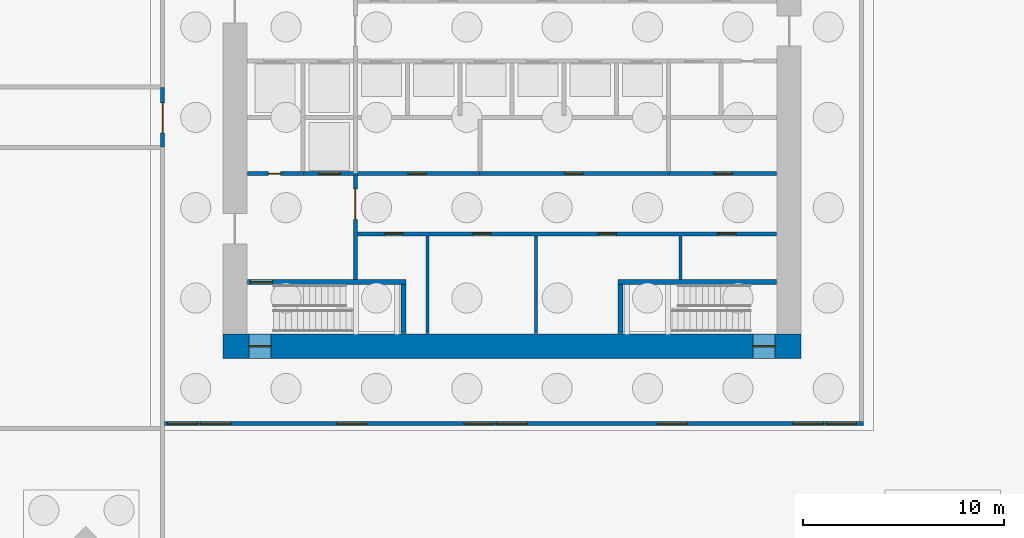
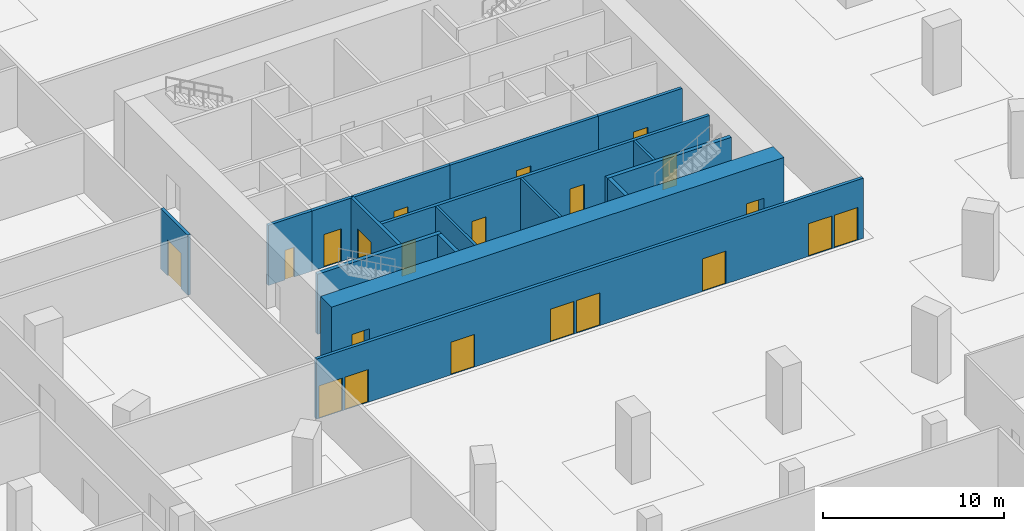
# One storey, part 7 of 14: 22 doors, 17 walls, 22 openings.
"""IFC4 building model written with IfcOpenShell, lengths in metres."""

from ifc_helpers import new_model, si_unit, direction, frame, frame_2d, origin, place, context, subcontext, project, spatial, rectangle, extrude, material, layer, layer_set, type_object, element, fill, save


model = new_model("IFC4")

# Units and contexts
model_context = context("Model", 3, precision=1e-05, world=origin(), true_north=direction((0.0, 1.0)))
body_context = subcontext(model_context, "Body", "Model", "MODEL_VIEW")
ifc_project = project(units=[si_unit("LENGTHUNIT", "METRE"), si_unit("AREAUNIT", "SQUARE_METRE"), si_unit("VOLUMEUNIT", "CUBIC_METRE"), si_unit("PLANEANGLEUNIT", "RADIAN"), si_unit("MASSUNIT", "GRAM", prefix="KILO")], contexts=[model_context])

# Site, building, storey
site_placement = place(None, origin())
site = spatial("IfcSite", under=ifc_project, at=site_placement, CompositionType="ELEMENT")
building_placement = place(site_placement, origin())
building = spatial("IfcBuilding", under=site, at=building_placement, Name="Msitu Wima Residences", CompositionType="ELEMENT")
storey_placement = place(building_placement, frame((0.0, 0.0, -9.0)))
storey = spatial("IfcBuildingStorey", under=building, at=storey_placement, Name="B2", CompositionType="ELEMENT", Elevation=-9.0)

# Wall, openings, doors
ifc_material_1 = material(Name="Concrete C80/95", Category="concrete")
ifc_layer_1 = layer(ifc_material_1, 1.199951171875)
ifc_layer_set_1 = layer_set([ifc_layer_1], Name="Concrete C80/95")
wall_type_1 = type_object("IfcWallType", Name="Core wall CW1200 C80/95", PredefinedType="SHEAR", material=ifc_layer_set_1)
wall_1_placement = place(storey_placement, frame((-14.39990234375, -11.39990234375, 0.0), z_axis=(0.0, 0.0, 1.0), x_axis=(1.0, 0.0, 0.0)))
wall_1 = element("IfcWall", 1, at=wall_1_placement, inside=storey, type_object=wall_type_1, Name="Core wall", PredefinedType="SHEAR", context=body_context, shape_type="SweptSolid", body=[
    extrude(rectangle(XDim=28.7998046875, YDim=1.199951171875, at=frame_2d((14.39990234375, 0.0))), origin(), (0.0, 0.0, 1.0), 4.5),
])
opening_1_placement = place(wall_1_placement, frame((1.300048828125, 0.0, 0.0)))
opening_1 = element("IfcOpeningElement", 2, at=opening_1_placement, cuts=wall_1, Name="Opening DB2.050", PredefinedType="OPENING", context=body_context, shape_type="SweptSolid", body=[
    extrude(rectangle(XDim=1.10009765625, YDim=2.199951171875, at=frame_2d((0.550048828125, 1.10009765625))), frame((0.0, 0.60986328125, 0.0), z_axis=(0.0, -1.0, 0.0), x_axis=(1.0, 0.0, 0.0)), (0.0, 0.0, 1.0), 1.219970703125),
])
opening_2_placement = place(wall_1_placement, frame((26.39990234375, 0.0, 0.0)))
opening_2 = element("IfcOpeningElement", 3, at=opening_2_placement, cuts=wall_1, Name="Opening DB2.052", PredefinedType="OPENING", context=body_context, shape_type="SweptSolid", body=[
    extrude(rectangle(XDim=1.10009765625, YDim=2.199951171875, at=frame_2d((0.550048828125, 1.10009765625))), frame((0.0, 0.60986328125, 0.0), z_axis=(0.0, -1.0, 0.0), x_axis=(1.0, 0.0, 0.0)), (0.0, 0.0, 1.0), 1.219970703125),
])
ifc_material_2 = material(Name="Steel door, fire resisting, panic bar", Category="steel")
door_type_1 = type_object("IfcDoorType", Name="Stair door D06 1100x2200", OperationType="SINGLE_SWING_LEFT", PredefinedType="DOOR", material=ifc_material_2)
door_1_placement = place(opening_1_placement, origin())
door_1 = element("IfcDoor", 4, at=door_1_placement, inside=storey, type_object=door_type_1, Name="Stair door", OperationType="SINGLE_SWING_LEFT", OverallHeight=2.199951171875, OverallWidth=1.10009765625, PredefinedType="DOOR", context=body_context, shape_type="SweptSolid", body=[
    extrude(rectangle(XDim=1.10009765625, YDim=2.199951171875, at=frame_2d((0.550048828125, 1.10009765625))), frame((0.0, 0.02490234375, 0.0), z_axis=(0.0, -1.0, 0.0), x_axis=(1.0, 0.0, 0.0)), (0.0, 0.0, 1.0), 0.050048828125),
])
fill(opening_1, door_1)
door_2_placement = place(opening_2_placement, origin())
door_2 = element("IfcDoor", 5, at=door_2_placement, inside=storey, type_object=door_type_1, Name="Stair door", OperationType="SINGLE_SWING_RIGHT", OverallHeight=2.199951171875, OverallWidth=1.10009765625, PredefinedType="DOOR", context=body_context, shape_type="SweptSolid", body=[
    extrude(rectangle(XDim=1.10009765625, YDim=2.199951171875, at=frame_2d((0.550048828125, 1.10009765625))), frame((0.0, 0.02490234375, 0.0), z_axis=(0.0, -1.0, 0.0), x_axis=(1.0, 0.0, 0.0)), (0.0, 0.0, 1.0), 0.050048828125),
])
fill(opening_2, door_2)

ifc_material_3 = material(Name="Plaster")
ifc_layer_2 = layer(ifc_material_3, 0.011962890625, Name="Plaster")
ifc_material_4 = material(Name="Concrete blockwork", Category="masonry")
ifc_layer_3 = layer(ifc_material_4, 0.176025390625, Name="Concrete blockwork")
ifc_layer_4 = layer(ifc_material_3, 0.011962890625, Name="Plaster")
ifc_layer_set_2 = layer_set([ifc_layer_2, ifc_layer_3, ifc_layer_4], Name="Concrete blockwork")
wall_type_2 = type_object("IfcWallType", Name="Corridor wall FW200", PredefinedType="PARTITIONING", material=ifc_layer_set_2)
wall_2_placement = place(storey_placement, frame((-17.300048828125, -15.2568359375, 0.0), z_axis=(0.0, 0.0, 1.0), x_axis=(1.0, 0.0, 0.0)))
wall_2 = element("IfcWall", 6, at=wall_2_placement, inside=storey, type_object=wall_type_2, Name="Corridor wall", PredefinedType="PARTITIONING", context=body_context, shape_type="SweptSolid", body=[
    extrude(rectangle(XDim=34.800048828125, YDim=0.199951171875, at=frame_2d((17.39990234375, 0.0))), origin(), (0.0, 0.0, 1.0), 4.048095703125),
])
opening_3_placement = place(wall_2_placement, frame((16.550048828125, 0.0, 0.0)))
opening_3 = element("IfcOpeningElement", 7, at=opening_3_placement, cuts=wall_2, Name="Opening DB2.020", PredefinedType="OPENING", context=body_context, shape_type="SweptSolid", body=[
    extrude(rectangle(XDim=1.5, YDim=2.199951171875, at=frame_2d((0.75, 1.10009765625))), frame((0.0, 0.10986328125, 0.0), z_axis=(0.0, -1.0, 0.0), x_axis=(1.0, 0.0, 0.0)), (0.0, 0.0, 1.0), 0.219970703125),
])
opening_4_placement = place(wall_2_placement, frame((32.949951171875, 0.0, 0.0)))
opening_4 = element("IfcOpeningElement", 8, at=opening_4_placement, cuts=wall_2, Name="Opening DB2.021", PredefinedType="OPENING", context=body_context, shape_type="SweptSolid", body=[
    extrude(rectangle(XDim=1.5, YDim=2.199951171875, at=frame_2d((0.75, 1.10009765625))), frame((0.0, 0.10986328125, 0.0), z_axis=(0.0, -1.0, 0.0), x_axis=(1.0, 0.0, 0.0)), (0.0, 0.0, 1.0), 0.219970703125),
])
opening_5_placement = place(wall_2_placement, frame((31.300048828125, 0.0, 0.0)))
opening_5 = element("IfcOpeningElement", 9, at=opening_5_placement, cuts=wall_2, Name="Opening DB2.022", PredefinedType="OPENING", context=body_context, shape_type="SweptSolid", body=[
    extrude(rectangle(XDim=1.5, YDim=2.199951171875, at=frame_2d((0.75, 1.10009765625))), frame((0.0, 0.10986328125, 0.0), z_axis=(0.0, -1.0, 0.0), x_axis=(1.0, 0.0, 0.0)), (0.0, 0.0, 1.0), 0.219970703125),
])
opening_6_placement = place(wall_2_placement, frame((14.89990234375, 0.0, 0.0)))
opening_6 = element("IfcOpeningElement", 10, at=opening_6_placement, cuts=wall_2, Name="Opening DB2.023", PredefinedType="OPENING", context=body_context, shape_type="SweptSolid", body=[
    extrude(rectangle(XDim=1.5, YDim=2.199951171875, at=frame_2d((0.75, 1.10009765625))), frame((0.0, 0.10986328125, 0.0), z_axis=(0.0, -1.0, 0.0), x_axis=(1.0, 0.0, 0.0)), (0.0, 0.0, 1.0), 0.219970703125),
])
opening_7_placement = place(wall_2_placement, frame((0.14990234375, 0.0, 0.0)))
opening_7 = element("IfcOpeningElement", 11, at=opening_7_placement, cuts=wall_2, Name="Opening DB2.024", PredefinedType="OPENING", context=body_context, shape_type="SweptSolid", body=[
    extrude(rectangle(XDim=1.5, YDim=2.199951171875, at=frame_2d((0.75, 1.10009765625))), frame((0.0, 0.10986328125, 0.0), z_axis=(0.0, -1.0, 0.0), x_axis=(1.0, 0.0, 0.0)), (0.0, 0.0, 1.0), 0.219970703125),
])
opening_8_placement = place(wall_2_placement, frame((1.800048828125, 0.0, 0.0)))
opening_8 = element("IfcOpeningElement", 12, at=opening_8_placement, cuts=wall_2, Name="Opening DB2.025", PredefinedType="OPENING", context=body_context, shape_type="SweptSolid", body=[
    extrude(rectangle(XDim=1.5, YDim=2.199951171875, at=frame_2d((0.75, 1.10009765625))), frame((0.0, 0.10986328125, 0.0), z_axis=(0.0, -1.0, 0.0), x_axis=(1.0, 0.0, 0.0)), (0.0, 0.0, 1.0), 0.219970703125),
])
opening_9_placement = place(wall_2_placement, frame((24.550048828125, 0.0, 0.0)))
opening_9 = element("IfcOpeningElement", 13, at=opening_9_placement, cuts=wall_2, Name="Opening DB2.026", PredefinedType="OPENING", context=body_context, shape_type="SweptSolid", body=[
    extrude(rectangle(XDim=1.5, YDim=2.199951171875, at=frame_2d((0.75, 1.10009765625))), frame((0.0, 0.10986328125, 0.0), z_axis=(0.0, -1.0, 0.0), x_axis=(1.0, 0.0, 0.0)), (0.0, 0.0, 1.0), 0.219970703125),
])
opening_10_placement = place(wall_2_placement, frame((8.550048828125, 0.0, 0.0)))
opening_10 = element("IfcOpeningElement", 14, at=opening_10_placement, cuts=wall_2, Name="Opening DB2.027", PredefinedType="OPENING", context=body_context, shape_type="SweptSolid", body=[
    extrude(rectangle(XDim=1.5, YDim=2.199951171875, at=frame_2d((0.75, 1.10009765625))), frame((0.0, 0.10986328125, 0.0), z_axis=(0.0, -1.0, 0.0), x_axis=(1.0, 0.0, 0.0)), (0.0, 0.0, 1.0), 0.219970703125),
])
ifc_material_5 = material(Name="Timber double door", Category="wood")
door_type_2 = type_object("IfcDoorType", Name="Double door D04 1500x2200", OperationType="DOUBLE_DOOR_SINGLE_SWING", PredefinedType="DOOR", material=ifc_material_5)
door_3_placement = place(opening_3_placement, origin())
door_3 = element("IfcDoor", 15, at=door_3_placement, inside=storey, type_object=door_type_2, Name="Double door", OperationType="DOUBLE_DOOR_SINGLE_SWING", OverallHeight=2.199951171875, OverallWidth=1.5, PredefinedType="DOOR", context=body_context, shape_type="SweptSolid", body=[
    extrude(rectangle(XDim=1.5, YDim=2.199951171875, at=frame_2d((0.75, 1.10009765625))), frame((0.0, 0.02490234375, 0.0), z_axis=(0.0, -1.0, 0.0), x_axis=(1.0, 0.0, 0.0)), (0.0, 0.0, 1.0), 0.050048828125),
])
fill(opening_3, door_3)
door_4_placement = place(opening_4_placement, origin())
door_4 = element("IfcDoor", 16, at=door_4_placement, inside=storey, type_object=door_type_2, Name="Double door", OperationType="DOUBLE_DOOR_SINGLE_SWING", OverallHeight=2.199951171875, OverallWidth=1.5, PredefinedType="DOOR", context=body_context, shape_type="SweptSolid", body=[
    extrude(rectangle(XDim=1.5, YDim=2.199951171875, at=frame_2d((0.75, 1.10009765625))), frame((0.0, 0.02490234375, 0.0), z_axis=(0.0, -1.0, 0.0), x_axis=(1.0, 0.0, 0.0)), (0.0, 0.0, 1.0), 0.050048828125),
])
fill(opening_4, door_4)
door_5_placement = place(opening_5_placement, origin())
door_5 = element("IfcDoor", 17, at=door_5_placement, inside=storey, type_object=door_type_2, Name="Double door", OperationType="DOUBLE_DOOR_SINGLE_SWING", OverallHeight=2.199951171875, OverallWidth=1.5, PredefinedType="DOOR", context=body_context, shape_type="SweptSolid", body=[
    extrude(rectangle(XDim=1.5, YDim=2.199951171875, at=frame_2d((0.75, 1.10009765625))), frame((0.0, 0.02490234375, 0.0), z_axis=(0.0, -1.0, 0.0), x_axis=(1.0, 0.0, 0.0)), (0.0, 0.0, 1.0), 0.050048828125),
])
fill(opening_5, door_5)
door_6_placement = place(opening_6_placement, origin())
door_6 = element("IfcDoor", 18, at=door_6_placement, inside=storey, type_object=door_type_2, Name="Double door", OperationType="DOUBLE_DOOR_SINGLE_SWING", OverallHeight=2.199951171875, OverallWidth=1.5, PredefinedType="DOOR", context=body_context, shape_type="SweptSolid", body=[
    extrude(rectangle(XDim=1.5, YDim=2.199951171875, at=frame_2d((0.75, 1.10009765625))), frame((0.0, 0.02490234375, 0.0), z_axis=(0.0, -1.0, 0.0), x_axis=(1.0, 0.0, 0.0)), (0.0, 0.0, 1.0), 0.050048828125),
])
fill(opening_6, door_6)
door_7_placement = place(opening_7_placement, origin())
door_7 = element("IfcDoor", 19, at=door_7_placement, inside=storey, type_object=door_type_2, Name="Double door", OperationType="DOUBLE_DOOR_SINGLE_SWING", OverallHeight=2.199951171875, OverallWidth=1.5, PredefinedType="DOOR", context=body_context, shape_type="SweptSolid", body=[
    extrude(rectangle(XDim=1.5, YDim=2.199951171875, at=frame_2d((0.75, 1.10009765625))), frame((0.0, 0.02490234375, 0.0), z_axis=(0.0, -1.0, 0.0), x_axis=(1.0, 0.0, 0.0)), (0.0, 0.0, 1.0), 0.050048828125),
])
fill(opening_7, door_7)
door_8_placement = place(opening_8_placement, origin())
door_8 = element("IfcDoor", 20, at=door_8_placement, inside=storey, type_object=door_type_2, Name="Double door", OperationType="DOUBLE_DOOR_SINGLE_SWING", OverallHeight=2.199951171875, OverallWidth=1.5, PredefinedType="DOOR", context=body_context, shape_type="SweptSolid", body=[
    extrude(rectangle(XDim=1.5, YDim=2.199951171875, at=frame_2d((0.75, 1.10009765625))), frame((0.0, 0.02490234375, 0.0), z_axis=(0.0, -1.0, 0.0), x_axis=(1.0, 0.0, 0.0)), (0.0, 0.0, 1.0), 0.050048828125),
])
fill(opening_8, door_8)
door_9_placement = place(opening_9_placement, origin())
door_9 = element("IfcDoor", 21, at=door_9_placement, inside=storey, type_object=door_type_2, Name="Double door", OperationType="DOUBLE_DOOR_SINGLE_SWING", OverallHeight=2.199951171875, OverallWidth=1.5, PredefinedType="DOOR", context=body_context, shape_type="SweptSolid", body=[
    extrude(rectangle(XDim=1.5, YDim=2.199951171875, at=frame_2d((0.75, 1.10009765625))), frame((0.0, 0.02490234375, 0.0), z_axis=(0.0, -1.0, 0.0), x_axis=(1.0, 0.0, 0.0)), (0.0, 0.0, 1.0), 0.050048828125),
])
fill(opening_9, door_9)
door_10_placement = place(opening_10_placement, origin())
door_10 = element("IfcDoor", 22, at=door_10_placement, inside=storey, type_object=door_type_2, Name="Double door", OperationType="DOUBLE_DOOR_SINGLE_SWING", OverallHeight=2.199951171875, OverallWidth=1.5, PredefinedType="DOOR", context=body_context, shape_type="SweptSolid", body=[
    extrude(rectangle(XDim=1.5, YDim=2.199951171875, at=frame_2d((0.75, 1.10009765625))), frame((0.0, 0.02490234375, 0.0), z_axis=(0.0, -1.0, 0.0), x_axis=(1.0, 0.0, 0.0)), (0.0, 0.0, 1.0), 0.050048828125),
])
fill(opening_10, door_10)

# Wall, opening, door
wall_3_placement = place(storey_placement, frame((-17.39990234375, -1.47998046875, 0.0), z_axis=(0.0, 0.0, 1.0), x_axis=(0.0, 1.0, 0.0)))
wall_3 = element("IfcWall", 23, at=wall_3_placement, inside=storey, type_object=wall_type_2, Name="Corridor wall", PredefinedType="PARTITIONING", context=body_context, shape_type="SweptSolid", body=[
    extrude(rectangle(XDim=2.9599609375, YDim=0.199951171875, at=frame_2d((1.47998046875, 0.0))), origin(), (0.0, 0.0, 1.0), 4.048095703125),
])
opening_11_placement = place(wall_3_placement, frame((0.699951171875, 0.0, 0.0)))
opening_11 = element("IfcOpeningElement", 24, at=opening_11_placement, cuts=wall_3, Name="Opening DB2.028", PredefinedType="OPENING", context=body_context, shape_type="SweptSolid", body=[
    extrude(rectangle(XDim=1.5, YDim=2.39990234375, at=frame_2d((0.75, 1.199951171875))), frame((0.0, 0.10986328125, 0.0), z_axis=(0.0, -1.0, 0.0), x_axis=(1.0, 0.0, 0.0)), (0.0, 0.0, 1.0), 0.219970703125),
])
ifc_material_6 = material(Name="Steel framed glazed door, fire resisting", Category="steel")
door_type_3 = type_object("IfcDoorType", Name="Lobby door D07 1500x2400", OperationType="DOUBLE_DOOR_SINGLE_SWING", PredefinedType="DOOR", material=ifc_material_6)
door_11_placement = place(opening_11_placement, origin())
door_11 = element("IfcDoor", 25, at=door_11_placement, inside=storey, type_object=door_type_3, Name="Lobby door", OperationType="DOUBLE_DOOR_SINGLE_SWING", OverallHeight=2.39990234375, OverallWidth=1.5, PredefinedType="DOOR", context=body_context, shape_type="SweptSolid", body=[
    extrude(rectangle(XDim=1.5, YDim=2.39990234375, at=frame_2d((0.75, 1.199951171875))), frame((0.0, 0.02490234375, 0.0), z_axis=(0.0, -1.0, 0.0), x_axis=(1.0, 0.0, 0.0)), (0.0, 0.0, 1.0), 0.050048828125),
])
fill(opening_11, door_11)

wall_4_placement = place(storey_placement, frame((-7.800048828125, -8.074951171875, 0.0), z_axis=(0.0, 0.0, 1.0), x_axis=(0.0, 1.0, 0.0)))
wall_4 = element("IfcWall", 26, at=wall_4_placement, inside=storey, type_object=wall_type_2, Name="Corridor wall", PredefinedType="PARTITIONING", context=body_context, shape_type="SweptSolid", body=[
    extrude(rectangle(XDim=5.27490234375, YDim=0.199951171875, at=frame_2d((2.637451171875, 0.0))), origin(), (0.0, 0.0, 1.0), 4.048095703125),
])
opening_12_placement = place(wall_4_placement, frame((3.0, 0.0, 0.0)))
opening_12 = element("IfcOpeningElement", 27, at=opening_12_placement, cuts=wall_4, Name="Opening DB2.003", PredefinedType="OPENING", context=body_context, shape_type="SweptSolid", body=[
    extrude(rectangle(XDim=1.5, YDim=2.39990234375, at=frame_2d((0.75, 1.199951171875))), frame((0.0, 0.10986328125, 0.0), z_axis=(0.0, -1.0, 0.0), x_axis=(1.0, 0.0, 0.0)), (0.0, 0.0, 1.0), 0.219970703125),
])
door_12_placement = place(opening_12_placement, origin())
door_12 = element("IfcDoor", 28, at=door_12_placement, inside=storey, type_object=door_type_3, Name="Lobby door", OperationType="DOUBLE_DOOR_SINGLE_SWING", OverallHeight=2.39990234375, OverallWidth=1.5, PredefinedType="DOOR", context=body_context, shape_type="SweptSolid", body=[
    extrude(rectangle(XDim=1.5, YDim=2.39990234375, at=frame_2d((0.75, 1.199951171875))), frame((0.0, 0.02490234375, 0.0), z_axis=(0.0, -1.0, 0.0), x_axis=(1.0, 0.0, 0.0)), (0.0, 0.0, 1.0), 0.050048828125),
])
fill(opening_12, door_12)

# Wall, openings, doors
wall_5_placement = place(storey_placement, frame((-7.699951171875, -5.800048828125, 0.0), z_axis=(0.0, 0.0, 1.0), x_axis=(1.0, 0.0, 0.0)))
wall_5 = element("IfcWall", 29, at=wall_5_placement, inside=storey, type_object=wall_type_2, Name="Corridor wall", PredefinedType="PARTITIONING", context=body_context, shape_type="SweptSolid", body=[
    extrude(rectangle(XDim=20.869873046875, YDim=0.199951171875, at=frame_2d((10.43505859375, 0.0))), origin(), (0.0, 0.0, 1.0), 4.048095703125),
])
opening_13_placement = place(wall_5_placement, frame((1.35009765625, 0.0, 0.0)))
opening_13 = element("IfcOpeningElement", 30, at=opening_13_placement, cuts=wall_5, Name="Opening DB2.009", PredefinedType="OPENING", context=body_context, shape_type="SweptSolid", body=[
    extrude(rectangle(XDim=0.89990234375, YDim=2.199951171875, at=frame_2d((0.449951171875, 1.10009765625))), frame((0.0, 0.10986328125, 0.0), z_axis=(0.0, -1.0, 0.0), x_axis=(1.0, 0.0, 0.0)), (0.0, 0.0, 1.0), 0.219970703125),
])
opening_14_placement = place(wall_5_placement, frame((5.75, 0.0, 0.0)))
opening_14 = element("IfcOpeningElement", 31, at=opening_14_placement, cuts=wall_5, Name="Opening DB2.010", PredefinedType="OPENING", context=body_context, shape_type="SweptSolid", body=[
    extrude(rectangle(XDim=0.89990234375, YDim=2.199951171875, at=frame_2d((0.449951171875, 1.10009765625))), frame((0.0, 0.10986328125, 0.0), z_axis=(0.0, -1.0, 0.0), x_axis=(1.0, 0.0, 0.0)), (0.0, 0.0, 1.0), 0.219970703125),
])
opening_15_placement = place(wall_5_placement, frame((12.0, 0.0, 0.0)))
opening_15 = element("IfcOpeningElement", 32, at=opening_15_placement, cuts=wall_5, Name="Opening DB2.011", PredefinedType="OPENING", context=body_context, shape_type="SweptSolid", body=[
    extrude(rectangle(XDim=0.89990234375, YDim=2.199951171875, at=frame_2d((0.449951171875, 1.10009765625))), frame((0.0, 0.10986328125, 0.0), z_axis=(0.0, -1.0, 0.0), x_axis=(1.0, 0.0, 0.0)), (0.0, 0.0, 1.0), 0.219970703125),
])
opening_16_placement = place(wall_5_placement, frame((17.949951171875, 0.0, 0.0)))
opening_16 = element("IfcOpeningElement", 33, at=opening_16_placement, cuts=wall_5, Name="Opening DB2.012", PredefinedType="OPENING", context=body_context, shape_type="SweptSolid", body=[
    extrude(rectangle(XDim=0.89990234375, YDim=2.199951171875, at=frame_2d((0.449951171875, 1.10009765625))), frame((0.0, 0.10986328125, 0.0), z_axis=(0.0, -1.0, 0.0), x_axis=(1.0, 0.0, 0.0)), (0.0, 0.0, 1.0), 0.219970703125),
])
ifc_material_7 = material(Name="Timber flush door", Category="wood")
door_type_4 = type_object("IfcDoorType", Name="Service door D05 900x2200", OperationType="SINGLE_SWING_LEFT", PredefinedType="DOOR", material=ifc_material_7)
door_13_placement = place(opening_13_placement, origin())
door_13 = element("IfcDoor", 34, at=door_13_placement, inside=storey, type_object=door_type_4, Name="Service door", OperationType="SINGLE_SWING_LEFT", OverallHeight=2.199951171875, OverallWidth=0.89990234375, PredefinedType="DOOR", context=body_context, shape_type="SweptSolid", body=[
    extrude(rectangle(XDim=0.89990234375, YDim=2.199951171875, at=frame_2d((0.449951171875, 1.10009765625))), frame((0.0, 0.02490234375, 0.0), z_axis=(0.0, -1.0, 0.0), x_axis=(1.0, 0.0, 0.0)), (0.0, 0.0, 1.0), 0.050048828125),
])
fill(opening_13, door_13)
door_14_placement = place(opening_14_placement, origin())
door_14 = element("IfcDoor", 35, at=door_14_placement, inside=storey, type_object=door_type_4, Name="Service door", OperationType="SINGLE_SWING_RIGHT", OverallHeight=2.199951171875, OverallWidth=0.89990234375, PredefinedType="DOOR", context=body_context, shape_type="SweptSolid", body=[
    extrude(rectangle(XDim=0.89990234375, YDim=2.199951171875, at=frame_2d((0.449951171875, 1.10009765625))), frame((0.0, 0.02490234375, 0.0), z_axis=(0.0, -1.0, 0.0), x_axis=(1.0, 0.0, 0.0)), (0.0, 0.0, 1.0), 0.050048828125),
])
fill(opening_14, door_14)
door_15_placement = place(opening_15_placement, origin())
door_15 = element("IfcDoor", 36, at=door_15_placement, inside=storey, type_object=door_type_4, Name="Service door", OperationType="SINGLE_SWING_LEFT", OverallHeight=2.199951171875, OverallWidth=0.89990234375, PredefinedType="DOOR", context=body_context, shape_type="SweptSolid", body=[
    extrude(rectangle(XDim=0.89990234375, YDim=2.199951171875, at=frame_2d((0.449951171875, 1.10009765625))), frame((0.0, 0.02490234375, 0.0), z_axis=(0.0, -1.0, 0.0), x_axis=(1.0, 0.0, 0.0)), (0.0, 0.0, 1.0), 0.050048828125),
])
fill(opening_15, door_15)
door_16_placement = place(opening_16_placement, origin())
door_16 = element("IfcDoor", 37, at=door_16_placement, inside=storey, type_object=door_type_4, Name="Service door", OperationType="SINGLE_SWING_RIGHT", OverallHeight=2.199951171875, OverallWidth=0.89990234375, PredefinedType="DOOR", context=body_context, shape_type="SweptSolid", body=[
    extrude(rectangle(XDim=0.89990234375, YDim=2.199951171875, at=frame_2d((0.449951171875, 1.10009765625))), frame((0.0, 0.02490234375, 0.0), z_axis=(0.0, -1.0, 0.0), x_axis=(1.0, 0.0, 0.0)), (0.0, 0.0, 1.0), 0.050048828125),
])
fill(opening_16, door_16)

# Wall, opening, door
wall_6_placement = place(storey_placement, frame((-1.6201171875, -2.800048828125, 0.0), z_axis=(0.0, 0.0, 1.0), x_axis=(1.0, 0.0, 0.0)))
wall_6 = element("IfcWall", 38, at=wall_6_placement, inside=storey, type_object=wall_type_2, Name="Corridor wall", PredefinedType="PARTITIONING", context=body_context, shape_type="SweptSolid", body=[
    extrude(rectangle(XDim=9.440185546875, YDim=0.199951171875, at=frame_2d((4.72021484375, 0.0))), origin(), (0.0, 0.0, 1.0), 4.048095703125),
])
opening_17_placement = place(wall_6_placement, frame((4.25, 0.0, 0.0)))
opening_17 = element("IfcOpeningElement", 39, at=opening_17_placement, cuts=wall_6, Name="Opening DB2.017", PredefinedType="OPENING", context=body_context, shape_type="SweptSolid", body=[
    extrude(rectangle(XDim=0.89990234375, YDim=2.199951171875, at=frame_2d((0.449951171875, 1.10009765625))), frame((0.0, 0.10986328125, 0.0), z_axis=(0.0, -1.0, 0.0), x_axis=(1.0, 0.0, 0.0)), (0.0, 0.0, 1.0), 0.219970703125),
])
door_17_placement = place(opening_17_placement, origin())
door_17 = element("IfcDoor", 40, at=door_17_placement, inside=storey, type_object=door_type_4, Name="Service door", OperationType="SINGLE_SWING_LEFT", OverallHeight=2.199951171875, OverallWidth=0.89990234375, PredefinedType="DOOR", context=body_context, shape_type="SweptSolid", body=[
    extrude(rectangle(XDim=0.89990234375, YDim=2.199951171875, at=frame_2d((0.449951171875, 1.10009765625))), frame((0.0, 0.02490234375, 0.0), z_axis=(0.0, -1.0, 0.0), x_axis=(1.0, 0.0, 0.0)), (0.0, 0.0, 1.0), 0.050048828125),
])
fill(opening_17, door_17)

# Walls
ifc_layer_5 = layer(ifc_material_3, 0.011962890625, Name="Plaster")
ifc_layer_6 = layer(ifc_material_4, 0.1259765625, Name="Concrete blockwork")
ifc_layer_7 = layer(ifc_material_3, 0.011962890625, Name="Plaster")
ifc_layer_set_3 = layer_set([ifc_layer_5, ifc_layer_6, ifc_layer_7], Name="Concrete blockwork")
wall_type_3 = type_object("IfcWallType", Name="Partition PW150", PredefinedType="PARTITIONING", material=ifc_layer_set_3)
for number, where, z_axis, x_axis, name in (
    (41, (-4.199951171875, -10.77001953125, 0.0), (0.0, 0.0, 1.0), (0.0, 1.0, 0.0), "Partition"),
    (42, (1.199951171875, -10.77001953125, 0.0), (0.0, 0.0, 1.0), (0.0, 1.0, 0.0), "Partition"),
):
    element("IfcWall", number, at=place(storey_placement, frame(where, z_axis=z_axis, x_axis=x_axis)), inside=storey, type_object=wall_type_3, Name=name, PredefinedType="PARTITIONING", context=body_context, shape_type="SweptSolid", body=[
        extrude(rectangle(XDim=4.8701171875, YDim=0.14990234375, at=frame_2d((2.43505859375, 0.0))), origin(), (0.0, 0.0, 1.0), 4.048095703125),
    ])
wall_7_placement = place(storey_placement, frame((8.39990234375, -8.074951171875, 0.0), z_axis=(0.0, 0.0, 1.0), x_axis=(0.0, 1.0, 0.0)))
element("IfcWall", 43, at=wall_7_placement, inside=storey, type_object=wall_type_3, Name="Partition", PredefinedType="PARTITIONING", context=body_context, shape_type="SweptSolid", body=[
    extrude(rectangle(XDim=2.175048828125, YDim=0.14990234375, at=frame_2d((1.08740234375, 0.0))), origin(), (0.0, 0.0, 1.0), 4.048095703125),
])

# Wall, opening, door
ifc_layer_8 = layer(ifc_material_3, 0.011962890625, Name="Plaster")
ifc_material_8 = material(Name="Reinforced concrete blockwork", Category="masonry")
ifc_layer_9 = layer(ifc_material_8, 0.176025390625, Name="Reinforced concrete blockwork")
ifc_layer_10 = layer(ifc_material_3, 0.011962890625, Name="Plaster")
ifc_layer_set_4 = layer_set([ifc_layer_8, ifc_layer_9, ifc_layer_10], Name="Reinforced concrete blockwork")
wall_type_4 = type_object("IfcWallType", Name="Plant and riser wall PL200", PredefinedType="PARTITIONING", material=ifc_layer_set_4)
wall_8_placement = place(storey_placement, frame((-13.169921875, -2.800048828125, 0.0), z_axis=(0.0, 0.0, 1.0), x_axis=(1.0, 0.0, 0.0)))
wall_8 = element("IfcWall", 44, at=wall_8_placement, inside=storey, type_object=wall_type_4, Name="Plant and riser wall", PredefinedType="PARTITIONING", context=body_context, shape_type="SweptSolid", body=[
    extrude(rectangle(XDim=2.7900390625, YDim=0.199951171875, at=frame_2d((1.39501953125, 0.0))), origin(), (0.0, 0.0, 1.0), 4.048095703125),
])
opening_18_placement = place(wall_8_placement, frame((1.050048828125, 0.0, 0.0)))
opening_18 = element("IfcOpeningElement", 45, at=opening_18_placement, cuts=wall_8, Name="Opening DB2.015", PredefinedType="OPENING", context=body_context, shape_type="SweptSolid", body=[
    extrude(rectangle(XDim=0.60009765625, YDim=2.0, at=frame_2d((0.300048828125, 1.0))), frame((0.0, 0.10986328125, 0.0), z_axis=(0.0, -1.0, 0.0), x_axis=(1.0, 0.0, 0.0)), (0.0, 0.0, 1.0), 0.219970703125),
])
ifc_material_9 = material(Name="Steel access door, fire resisting", Category="steel")
door_type_5 = type_object("IfcDoorType", Name="Riser access door D08 600x2000", OperationType="SINGLE_SWING_LEFT", PredefinedType="DOOR", material=ifc_material_9)
door_18_placement = place(opening_18_placement, origin())
door_18 = element("IfcDoor", 46, at=door_18_placement, inside=storey, type_object=door_type_5, Name="Riser access door", OperationType="SINGLE_SWING_RIGHT", OverallHeight=2.0, OverallWidth=0.60009765625, PredefinedType="DOOR", context=body_context, shape_type="SweptSolid", body=[
    extrude(rectangle(XDim=0.60009765625, YDim=2.0, at=frame_2d((0.300048828125, 1.0))), frame((0.0, 0.02490234375, 0.0), z_axis=(0.0, -1.0, 0.0), x_axis=(1.0, 0.0, 0.0)), (0.0, 0.0, 1.0), 0.050048828125),
])
fill(opening_18, door_18)

wall_9_placement = place(storey_placement, frame((-7.820068359375, -2.800048828125, 0.0), z_axis=(0.0, 0.0, 1.0), x_axis=(1.0, 0.0, 0.0)))
wall_9 = element("IfcWall", 47, at=wall_9_placement, inside=storey, type_object=wall_type_4, Name="Plant and riser wall", PredefinedType="PARTITIONING", context=body_context, shape_type="SweptSolid", body=[
    extrude(rectangle(XDim=6.199951171875, YDim=0.199951171875, at=frame_2d((3.10009765625, 0.0))), origin(), (0.0, 0.0, 1.0), 4.048095703125),
])
opening_19_placement = place(wall_9_placement, frame((2.64990234375, 0.0, 0.0)))
opening_19 = element("IfcOpeningElement", 48, at=opening_19_placement, cuts=wall_9, Name="Opening DB2.016", PredefinedType="OPENING", context=body_context, shape_type="SweptSolid", body=[
    extrude(rectangle(XDim=0.89990234375, YDim=2.199951171875, at=frame_2d((0.449951171875, 1.10009765625))), frame((0.0, 0.10986328125, 0.0), z_axis=(0.0, -1.0, 0.0), x_axis=(1.0, 0.0, 0.0)), (0.0, 0.0, 1.0), 0.219970703125),
])
door_19_placement = place(opening_19_placement, origin())
door_19 = element("IfcDoor", 49, at=door_19_placement, inside=storey, type_object=door_type_4, Name="Service door", OperationType="SINGLE_SWING_LEFT", OverallHeight=2.199951171875, OverallWidth=0.89990234375, PredefinedType="DOOR", context=body_context, shape_type="SweptSolid", body=[
    extrude(rectangle(XDim=0.89990234375, YDim=2.199951171875, at=frame_2d((0.449951171875, 1.10009765625))), frame((0.0, 0.02490234375, 0.0), z_axis=(0.0, -1.0, 0.0), x_axis=(1.0, 0.0, 0.0)), (0.0, 0.0, 1.0), 0.050048828125),
])
fill(opening_19, door_19)

wall_10_placement = place(storey_placement, frame((7.820068359375, -2.800048828125, 0.0), z_axis=(0.0, 0.0, 1.0), x_axis=(1.0, 0.0, 0.0)))
wall_10 = element("IfcWall", 50, at=wall_10_placement, inside=storey, type_object=wall_type_4, Name="Plant and riser wall", PredefinedType="PARTITIONING", context=body_context, shape_type="SweptSolid", body=[
    extrude(rectangle(XDim=5.349853515625, YDim=0.199951171875, at=frame_2d((2.6748046875, 0.0))), origin(), (0.0, 0.0, 1.0), 4.048095703125),
])
opening_20_placement = place(wall_10_placement, frame((2.25, 0.0, 0.0)))
opening_20 = element("IfcOpeningElement", 51, at=opening_20_placement, cuts=wall_10, Name="Opening DB2.001", PredefinedType="OPENING", context=body_context, shape_type="SweptSolid", body=[
    extrude(rectangle(XDim=0.89990234375, YDim=2.199951171875, at=frame_2d((0.449951171875, 1.10009765625))), frame((0.0, 0.10986328125, 0.0), z_axis=(0.0, -1.0, 0.0), x_axis=(1.0, 0.0, 0.0)), (0.0, 0.0, 1.0), 0.219970703125),
])
door_20_placement = place(opening_20_placement, origin())
door_20 = element("IfcDoor", 52, at=door_20_placement, inside=storey, type_object=door_type_4, Name="Service door", OperationType="SINGLE_SWING_LEFT", OverallHeight=2.199951171875, OverallWidth=0.89990234375, PredefinedType="DOOR", context=body_context, shape_type="SweptSolid", body=[
    extrude(rectangle(XDim=0.89990234375, YDim=2.199951171875, at=frame_2d((0.449951171875, 1.10009765625))), frame((0.0, 0.02490234375, 0.0), z_axis=(0.0, -1.0, 0.0), x_axis=(1.0, 0.0, 0.0)), (0.0, 0.0, 1.0), 0.050048828125),
])
fill(opening_20, door_20)

ifc_material_10 = material(Name="Fire-rated board")
ifc_layer_11 = layer(ifc_material_10, 0.02490234375, Name="Fire-rated board")
ifc_material_11 = material(Name="Light-gauge stud framing with mineral wool")
ifc_layer_12 = layer(ifc_material_11, 0.14990234375, Name="Light-gauge stud framing with mineral wool")
ifc_layer_13 = layer(ifc_material_10, 0.02490234375, Name="Fire-rated board")
ifc_layer_set_5 = layer_set([ifc_layer_11, ifc_layer_12, ifc_layer_13], Name="Light-gauge stud framing with mineral wool")
wall_type_5 = type_object("IfcWallType", Name="Shaft wall SH200", PredefinedType="PARTITIONING", material=ifc_layer_set_5)
wall_11_placement = place(storey_placement, frame((-10.3798828125, -2.800048828125, 0.0), z_axis=(0.0, 0.0, 1.0), x_axis=(1.0, 0.0, 0.0)))
wall_11 = element("IfcWall", 53, at=wall_11_placement, inside=storey, type_object=wall_type_5, Name="Shaft wall", PredefinedType="PARTITIONING", context=body_context, shape_type="SweptSolid", body=[
    extrude(rectangle(XDim=2.559814453125, YDim=0.199951171875, at=frame_2d((1.27978515625, 0.0))), origin(), (0.0, 0.0, 1.0), 4.048095703125),
])
opening_21_placement = place(wall_11_placement, frame((0.75, 0.0, 0.0)))
opening_21 = element("IfcOpeningElement", 54, at=opening_21_placement, cuts=wall_11, Name="Opening LD", PredefinedType="OPENING", context=body_context, shape_type="SweptSolid", body=[
    extrude(rectangle(XDim=1.10009765625, YDim=2.199951171875, at=frame_2d((0.550048828125, 1.10009765625))), frame((0.0, 0.10986328125, 0.0), z_axis=(0.0, -1.0, 0.0), x_axis=(1.0, 0.0, 0.0)), (0.0, 0.0, 1.0), 0.219970703125),
])
ifc_material_12 = material(Name="Stainless steel centre-opening landing door, rated", Category="steel")
door_type_6 = type_object("IfcDoorType", Name="Lift landing door LD 1100x2200", OperationType="DOUBLE_DOOR_SLIDING", PredefinedType="DOOR", material=ifc_material_12)
door_21_placement = place(opening_21_placement, origin())
door_21 = element("IfcDoor", 55, at=door_21_placement, inside=storey, type_object=door_type_6, Name="Lift landing door LD3", OperationType="DOUBLE_DOOR_SLIDING", OverallHeight=2.199951171875, OverallWidth=1.10009765625, PredefinedType="DOOR", context=body_context, shape_type="SweptSolid", body=[
    extrude(rectangle(XDim=1.10009765625, YDim=2.199951171875, at=frame_2d((0.550048828125, 1.10009765625))), frame((0.0, 0.02490234375, 0.0), z_axis=(0.0, -1.0, 0.0), x_axis=(1.0, 0.0, 0.0)), (0.0, 0.0, 1.0), 0.050048828125),
])
fill(opening_21, door_21)

ifc_material_13 = material(Name="Concrete C50/60", Category="concrete")
ifc_layer_14 = layer(ifc_material_13, 0.25)
ifc_layer_set_6 = layer_set([ifc_layer_14], Name="Concrete C50/60")
wall_type_6 = type_object("IfcWallType", Name="Stair enclosure wall SW250", PredefinedType="SHEAR", material=ifc_layer_set_6)
wall_12_placement = place(storey_placement, frame((-13.169921875, -8.199951171875, 0.0), z_axis=(0.0, 0.0, 1.0), x_axis=(1.0, 0.0, 0.0)))
wall_12 = element("IfcWall", 56, at=wall_12_placement, inside=storey, type_object=wall_type_6, Name="Stair enclosure wall", PredefinedType="SHEAR", context=body_context, shape_type="SweptSolid", body=[
    extrude(rectangle(XDim=7.89501953125, YDim=0.25, at=frame_2d((3.947509765625, 0.0))), origin(), (0.0, 0.0, 1.0), 4.048095703125),
])
opening_22_placement = place(wall_12_placement, frame((0.14990234375, 0.0, 0.0)))
opening_22 = element("IfcOpeningElement", 57, at=opening_22_placement, cuts=wall_12, Name="Opening DB2.019", PredefinedType="OPENING", context=body_context, shape_type="SweptSolid", body=[
    extrude(rectangle(XDim=1.10009765625, YDim=2.199951171875, at=frame_2d((0.550048828125, 1.10009765625))), frame((0.0, 0.135009765625, 0.0), z_axis=(0.0, -1.0, 0.0), x_axis=(1.0, 0.0, 0.0)), (0.0, 0.0, 1.0), 0.27001953125),
])
door_22_placement = place(opening_22_placement, origin())
door_22 = element("IfcDoor", 58, at=door_22_placement, inside=storey, type_object=door_type_1, Name="Stair door", OperationType="SINGLE_SWING_RIGHT", OverallHeight=2.199951171875, OverallWidth=1.10009765625, PredefinedType="DOOR", context=body_context, shape_type="SweptSolid", body=[
    extrude(rectangle(XDim=1.10009765625, YDim=2.199951171875, at=frame_2d((0.550048828125, 1.10009765625))), frame((0.0, 0.02490234375, 0.0), z_axis=(0.0, -1.0, 0.0), x_axis=(1.0, 0.0, 0.0)), (0.0, 0.0, 1.0), 0.050048828125),
])
fill(opening_22, door_22)

# Walls
for number, where, z_axis, x_axis, name in (
    (59, (-5.39990234375, -10.77001953125, 0.0), (0.0, 0.0, 1.0), (0.0, 1.0, 0.0), "Stair enclosure wall"),
    (60, (5.39990234375, -10.77001953125, 0.0), (0.0, 0.0, 1.0), (0.0, 1.0, 0.0), "Stair enclosure wall"),
):
    element("IfcWall", number, at=place(storey_placement, frame(where, z_axis=z_axis, x_axis=x_axis)), inside=storey, type_object=wall_type_6, Name=name, PredefinedType="SHEAR", context=body_context, shape_type="SweptSolid", body=[
        extrude(rectangle(XDim=2.445068359375, YDim=0.25, at=frame_2d((1.22265625, 0.0))), origin(), (0.0, 0.0, 1.0), 4.048095703125),
    ])
wall_13_placement = place(storey_placement, frame((5.27490234375, -8.199951171875, 0.0), z_axis=(0.0, 0.0, 1.0), x_axis=(1.0, 0.0, 0.0)))
element("IfcWall", 61, at=wall_13_placement, inside=storey, type_object=wall_type_6, Name="Stair enclosure wall", PredefinedType="SHEAR", context=body_context, shape_type="SweptSolid", body=[
    extrude(rectangle(XDim=7.89501953125, YDim=0.25, at=frame_2d((3.947509765625, 0.0))), origin(), (0.0, 0.0, 1.0), 4.048095703125),
])

save(model, "model.ifc")
